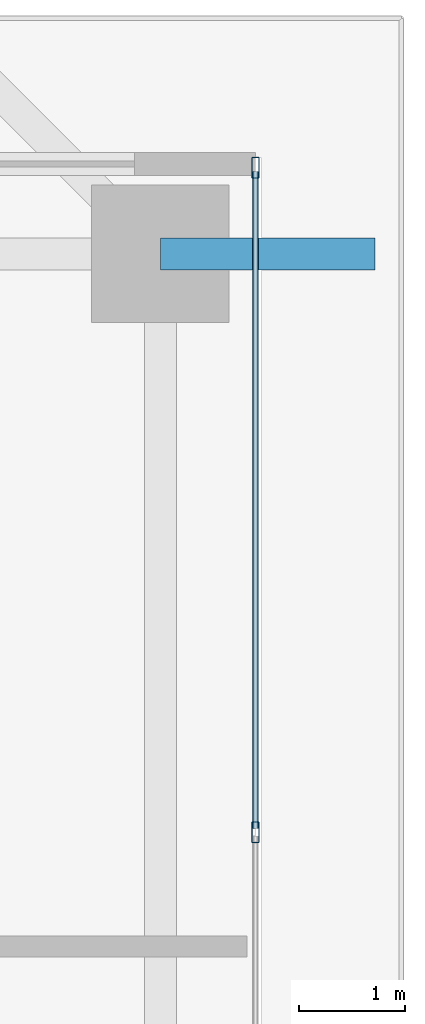
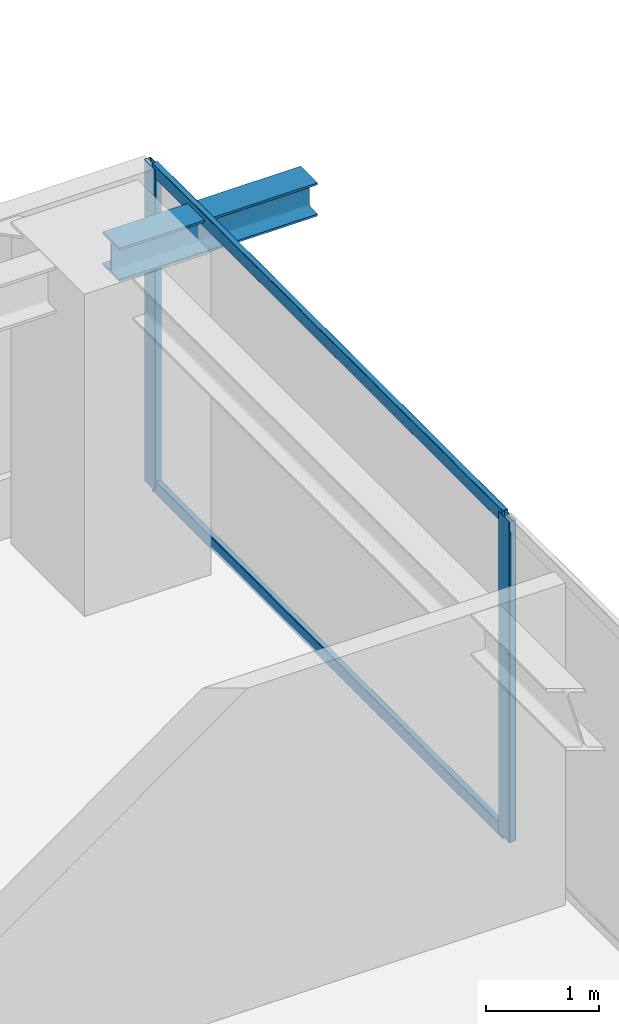
# One storey, part 24 of 38: 4 members, 1 beam, 1 element without a shape of its own.
"""IFC4 building model written with IfcOpenShell, lengths in metres."""

from ifc_helpers import new_model, si_unit, direction, frame, origin, origin_2d, place, context, subcontext, project, spatial, hollow_rectangle, i_section, extrude, source, transform, mapped, material, layer, layer_set, material_profile, profile_set, type_object, element, aggregate, save


model = new_model("IFC4")

# Units and contexts
model_context = context("Model", 3, precision=1e-05, world=origin(), true_north=direction((0.0, 1.0)))
body_context = subcontext(model_context, "Body", "Model", "MODEL_VIEW")
ifc_project = project(units=[si_unit("LENGTHUNIT", "METRE"), si_unit("AREAUNIT", "SQUARE_METRE"), si_unit("VOLUMEUNIT", "CUBIC_METRE"), si_unit("PLANEANGLEUNIT", "RADIAN"), si_unit("MASSUNIT", "GRAM", prefix="KILO")], contexts=[model_context])

# Site, building, storey
site_placement = place(None, origin())
site = spatial("IfcSite", under=ifc_project, at=site_placement, CompositionType="ELEMENT")
building_placement = place(site_placement, origin())
building = spatial("IfcBuilding", under=site, at=building_placement, Name="Serunith Strait Residences", CompositionType="ELEMENT")
storey_placement = place(building_placement, frame((0.0, 0.0, 183.89990234375)))
storey = spatial("IfcBuildingStorey", under=building, at=storey_placement, Name="L46", CompositionType="ELEMENT", Elevation=183.89990234375)

# Beam
ifc_material_1 = material(Name="Steel S355J2", Category="steel")
ifc_material_profile_1 = material_profile(ifc_material_1, i_section(OverallWidth=0.300048828125, OverallDepth=0.360107421875, WebThickness=0.012451171875, FlangeThickness=0.0224609375, FilletRadius=0.027099609375, at=origin_2d()), Name="HEB 360")
ifc_profile_set_1 = profile_set([ifc_material_profile_1], Name="Steel S355J2")
beam_type = type_object("IfcBeamType", Name="BM-HEB360", PredefinedType="BEAM", material=ifc_profile_set_1)
shared_shape_1 = source(origin(), body_context, "Body", "SweptSolid", [
    extrude(i_section(OverallWidth=0.300048828125, OverallDepth=0.360107421875, WebThickness=0.012451171875, FlangeThickness=0.0224609375, FilletRadius=0.027099609375, at=origin_2d()), origin(), (0.0, 0.0, 1.0), 2.02978515625),
])
beam_placement = place(storey_placement, frame((56.10009765625, 40.14990234375, 3.277099609375), z_axis=(1.0, 0.0, 0.0), x_axis=(0.0, 1.0, 0.0)))
element("IfcBeam", 1, at=beam_placement, inside=storey, type_object=beam_type, Name="L47 Cantilevered Balcony Rib TC-E4", PredefinedType="BEAM", context=body_context, shape_type="MappedRepresentation", body=[
    mapped(shared_shape_1, transform((0.0, 0.0, 0.0), scale=1.0)),
])

# Curtain wall, members
ifc_material_2 = material(Name="Pale-Champagne Anodised Aluminium", Category="aluminium")
ifc_layer = layer(ifc_material_2, 0.199951171875, Name="Pale-Champagne Anodised Aluminium")
ifc_layer_set = layer_set([ifc_layer], Name="Pale-Champagne Anodised Aluminium")
curtain_wall_type = type_object("IfcCurtainWallType", Name="CW-SYS2", PredefinedType="NOTDEFINED", material=ifc_layer_set)
curtain_wall_placement = place(storey_placement, origin())
curtain_wall = element("IfcCurtainWall", 2, at=curtain_wall_placement, inside=storey, type_object=curtain_wall_type, Name="L46 E Unitised Fritted Curtain Wall", PredefinedType="NOTDEFINED")
ifc_material_profile_2 = material_profile(ifc_material_2, hollow_rectangle(XDim=0.070068359375, YDim=0.199951171875, WallThickness=0.00390625, InnerFilletRadius=0.006103515625, OuterFilletRadius=0.010009765625, at=origin_2d()), Name="ALU 200x70x4")
ifc_profile_set_2 = profile_set([ifc_material_profile_2], Name="Pale-Champagne Anodised Aluminium")
member_type_1 = type_object("IfcMemberType", Name="CW-SYS2-MULL", PredefinedType="MULLION", material=ifc_profile_set_2)
shared_shape_2 = source(origin(), body_context, "Body", "SweptSolid", [
    extrude(hollow_rectangle(XDim=0.070068359375, YDim=0.199951171875, WallThickness=0.00390625, InnerFilletRadius=0.006103515625, OuterFilletRadius=0.010009765625, at=origin_2d()), origin(), (0.0, 0.0, 1.0), 3.47509765625),
])
member_1_placement = place(storey_placement, frame((57.0, 34.679931640625, 0.0), z_axis=(0.0, 0.0, 1.0), x_axis=(-1.0, 0.0, 0.0)))
member_1 = element("IfcMember", 3, at=member_1_placement, type_object=member_type_1, Name="CW-2 mullion 5", PredefinedType="MULLION", context=body_context, shape_type="MappedRepresentation", body=[
    mapped(shared_shape_2, transform((0.0, 0.0, 0.0), scale=1.0)),
])
member_2_placement = place(storey_placement, frame((57.0, 40.965087890625, 0.0), z_axis=(0.0, 0.0, 1.0), x_axis=(-1.0, 0.0, 0.0)))
member_2 = element("IfcMember", 4, at=member_2_placement, type_object=member_type_1, Name="CW-2 mullion 6", PredefinedType="MULLION", context=body_context, shape_type="MappedRepresentation", body=[
    mapped(shared_shape_2, transform((0.0, 0.0, 0.0), scale=1.0)),
])
ifc_material_profile_3 = material_profile(ifc_material_2, hollow_rectangle(XDim=0.06005859375, YDim=0.139892578125, WallThickness=0.00341796875, InnerFilletRadius=0.00537109375, OuterFilletRadius=0.0087890625, at=origin_2d()), Name="ALU 140x60x3.5")
ifc_profile_set_3 = profile_set([ifc_material_profile_3], Name="Pale-Champagne Anodised Aluminium")
member_type_2 = type_object("IfcMemberType", Name="CW-SYS2-TRAN", PredefinedType="USERDEFINED", material=ifc_profile_set_3)
shared_shape_3 = source(origin(), body_context, "Body", "SweptSolid", [
    extrude(hollow_rectangle(XDim=0.06005859375, YDim=0.139892578125, WallThickness=0.00341796875, InnerFilletRadius=0.00537109375, OuterFilletRadius=0.0087890625, at=origin_2d()), origin(), (0.0, 0.0, 1.0), 6.21484375),
])
member_3_placement = place(storey_placement, frame((57.0, 34.715087890625, 0.030029296875), z_axis=(0.0, 1.0, 0.0), x_axis=(-1.0, 0.0, 0.0)))
member_3 = element("IfcMember", 5, at=member_3_placement, type_object=member_type_2, Name="CW-2 transom 5.1", ObjectType="TRANSOM", PredefinedType="USERDEFINED", context=body_context, shape_type="MappedRepresentation", body=[
    mapped(shared_shape_3, transform((0.0, 0.0, 0.0), scale=1.0)),
])
member_4_placement = place(storey_placement, frame((57.0, 34.715087890625, 3.445068359375), z_axis=(0.0, 1.0, 0.0), x_axis=(-1.0, 0.0, 0.0)))
member_4 = element("IfcMember", 6, at=member_4_placement, type_object=member_type_2, Name="CW-2 transom 5.2", ObjectType="TRANSOM", PredefinedType="USERDEFINED", context=body_context, shape_type="MappedRepresentation", body=[
    mapped(shared_shape_3, transform((0.0, 0.0, 0.0), scale=1.0)),
])
aggregate(curtain_wall, [member_1, member_2, member_3, member_4])

save(model, "model.ifc")
